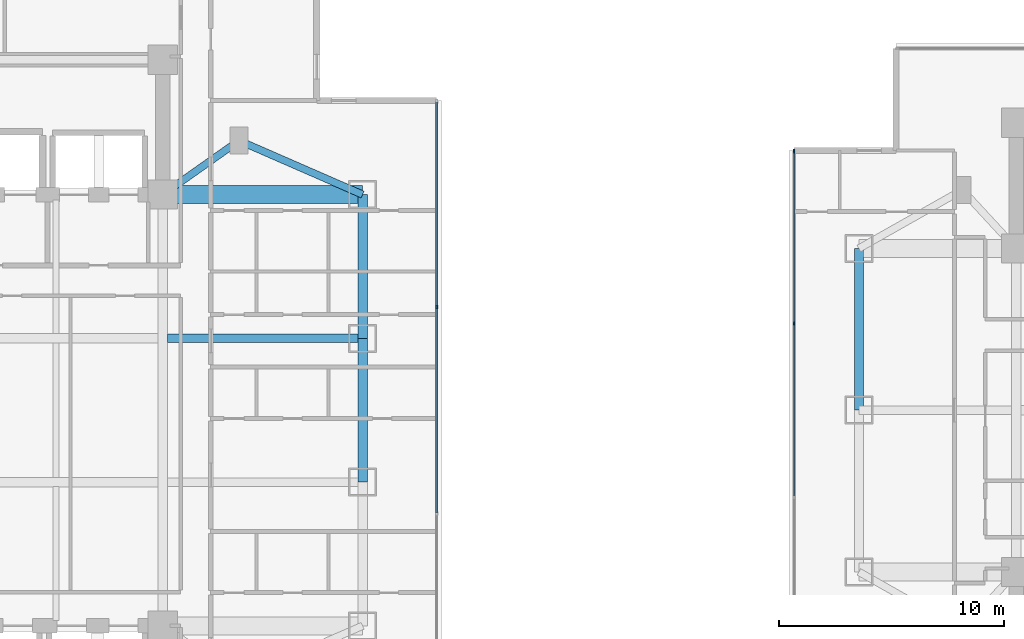
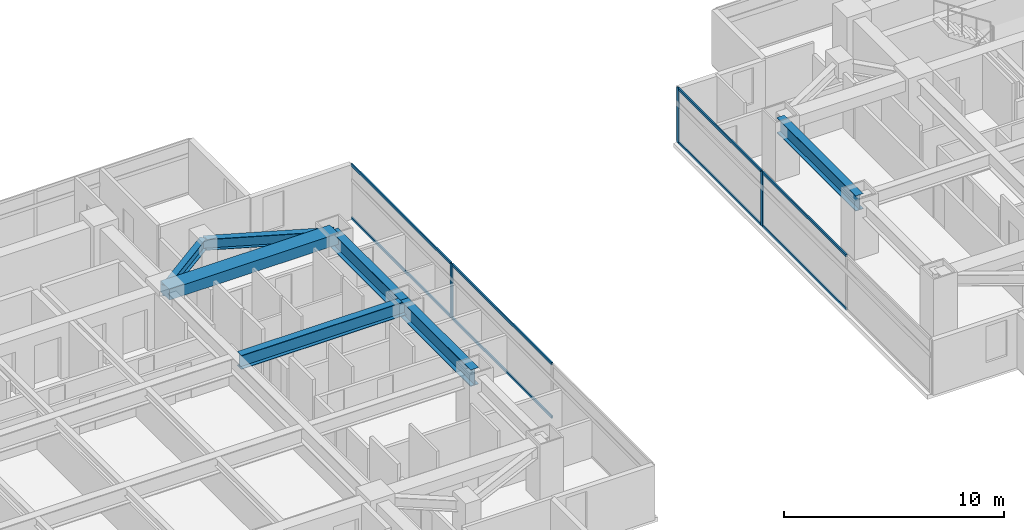
# One storey, part 6 of 24: 11 members, 7 beams, 2 elements without a shape of their own.
"""IFC4 building model written with IfcOpenShell, lengths in metres."""

from ifc_helpers import new_model, si_unit, direction, frame, origin, origin_2d, place, context, subcontext, project, spatial, rectangle, i_section, extrude, material, material_profile, profile_set, type_object, element, aggregate, save


model = new_model("IFC4")

# Units and contexts
model_context = context("Model", 3, precision=1e-05, world=origin(), true_north=direction((0.0, 1.0)))
body_context = subcontext(model_context, "Body", "Model", "MODEL_VIEW")
ifc_project = project(units=[si_unit("LENGTHUNIT", "METRE"), si_unit("AREAUNIT", "SQUARE_METRE"), si_unit("VOLUMEUNIT", "CUBIC_METRE"), si_unit("PLANEANGLEUNIT", "RADIAN"), si_unit("MASSUNIT", "GRAM", prefix="KILO")], contexts=[model_context])

# Site, building, storey
site_placement = place(None, origin())
site = spatial("IfcSite", under=ifc_project, at=site_placement, CompositionType="ELEMENT")
building_placement = place(site_placement, origin())
building = spatial("IfcBuilding", under=site, at=building_placement, Name="Mirazonda Arch Towers", CompositionType="ELEMENT")
storey_placement = place(building_placement, frame((0.0, 0.0, 65.300048828125)))
storey = spatial("IfcBuildingStorey", under=building, at=storey_placement, Name="L18", CompositionType="ELEMENT", Elevation=65.300048828125)

# Beams
ifc_material_1 = material(Name="Steel ASTM A992 Grade 50", Category="steel")
ifc_material_profile_1 = material_profile(ifc_material_1, i_section(OverallWidth=0.39990234375, OverallDepth=0.85595703125, WebThickness=0.018310546875, FlangeThickness=0.029296875, at=origin_2d()), Name="W33X201")
ifc_profile_set_1 = profile_set([ifc_material_profile_1], Name="Steel ASTM A992 Grade 50")
beam_type_1 = type_object("IfcBeamType", Name="BM-EXT-W33X201", PredefinedType="USERDEFINED", material=ifc_profile_set_1)
beam_1_placement = place(storey_placement, frame((61.0, 28.0, 2.6318359375), z_axis=(0.0, 1.0, 0.0), x_axis=(-1.0, 0.0, 0.0)))
element("IfcBeam", 1, at=beam_1_placement, inside=storey, type_object=beam_type_1, Name="L18 Floor Beam BM-T2-L18-NS-W-28", ObjectType="GIRDER", PredefinedType="USERDEFINED", context=body_context, shape_type="SweptSolid", body=[
    extrude(i_section(OverallWidth=0.39990234375, OverallDepth=0.85595703125, WebThickness=0.018310546875, FlangeThickness=0.029296875, at=origin_2d()), origin(), (0.0, 0.0, 1.0), 7.199951171875),
])
ifc_material_profile_2 = material_profile(ifc_material_1, i_section(OverallWidth=0.41796875, OverallDepth=0.927001953125, WebThickness=0.019287109375, FlangeThickness=0.031982421875, at=origin_2d()), Name="W36X231")
ifc_profile_set_2 = profile_set([ifc_material_profile_2], Name="Steel ASTM A992 Grade 50")
beam_type_2 = type_object("IfcBeamType", Name="BM-EXT-W36X231", PredefinedType="USERDEFINED", material=ifc_profile_set_2)
beam_2_placement = place(storey_placement, frame((38.89990234375, 24.800048828125, 2.596435546875), z_axis=(0.0, 1.0, 0.0), x_axis=(-1.0, 0.0, 0.0)))
element("IfcBeam", 2, at=beam_2_placement, inside=storey, type_object=beam_type_2, Name="L18 Floor Beam BM-T1-L18-NS-E-24", ObjectType="GIRDER", PredefinedType="USERDEFINED", context=body_context, shape_type="SweptSolid", body=[
    extrude(i_section(OverallWidth=0.41796875, OverallDepth=0.927001953125, WebThickness=0.019287109375, FlangeThickness=0.031982421875, at=origin_2d()), origin(), (0.0, 0.0, 1.0), 6.39990234375),
])
beam_3_placement = place(storey_placement, frame((38.89990234375, 31.199951171875, 2.596435546875), z_axis=(0.0, 1.0, 0.0), x_axis=(-1.0, 0.0, 0.0)))
element("IfcBeam", 3, at=beam_3_placement, inside=storey, type_object=beam_type_2, Name="L18 Floor Beam BM-T1-L18-NS-E-31", ObjectType="GIRDER", PredefinedType="USERDEFINED", context=body_context, shape_type="SweptSolid", body=[
    extrude(i_section(OverallWidth=0.41796875, OverallDepth=0.927001953125, WebThickness=0.019287109375, FlangeThickness=0.031982421875, at=origin_2d()), origin(), (0.0, 0.0, 1.0), 6.400146484375),
])
ifc_material_profile_3 = material_profile(ifc_material_1, i_section(OverallWidth=0.324951171875, OverallDepth=0.615966796875, WebThickness=0.013916015625, FlangeThickness=0.021484375, at=origin_2d()), Name="W24X117")
ifc_profile_set_3 = profile_set([ifc_material_profile_3], Name="Steel ASTM A992 Grade 50")
beam_type_3 = type_object("IfcBeamType", Name="BM-INT-W24X117", PredefinedType="BEAM", material=ifc_profile_set_3)
beam_4_placement = place(storey_placement, frame((33.39990234375, 40.0, 2.751953125), z_axis=(-0.816971114901, -0.576678591087, 0.0), x_axis=(0.576678591087, -0.816971114901, 0.0)))
element("IfcBeam", 4, at=beam_4_placement, inside=storey, type_object=beam_type_3, Name="L18 Floor Beam BM-T1-L18-PL-NE1", PredefinedType="BEAM", context=body_context, shape_type="SweptSolid", body=[
    extrude(i_section(OverallWidth=0.324951171875, OverallDepth=0.615966796875, WebThickness=0.013916015625, FlangeThickness=0.021484375, at=origin_2d()), origin(), (0.0, 0.0, 1.0), 4.16162109375),
])
beam_5_placement = place(storey_placement, frame((33.39990234375, 40.0, 2.751953125), z_axis=(0.916545343703, -0.399930785183, 0.0), x_axis=(0.399930785183, 0.916545343703, 0.0)))
element("IfcBeam", 5, at=beam_5_placement, inside=storey, type_object=beam_type_3, Name="L18 Floor Beam BM-T1-L18-PL-NE2", PredefinedType="BEAM", context=body_context, shape_type="SweptSolid", body=[
    extrude(i_section(OverallWidth=0.324951171875, OverallDepth=0.615966796875, WebThickness=0.013916015625, FlangeThickness=0.021484375, at=origin_2d()), origin(), (0.0, 0.0, 1.0), 6.000732421875),
])
ifc_material_profile_4 = material_profile(ifc_material_1, i_section(OverallWidth=0.381103515625, OverallDepth=0.77294921875, WebThickness=0.0166015625, FlangeThickness=0.027099609375, at=origin_2d()), Name="W30X173")
ifc_profile_set_4 = profile_set([ifc_material_profile_4], Name="Steel ASTM A992 Grade 50")
beam_type_4 = type_object("IfcBeamType", Name="BM-INT-W30X173", PredefinedType="USERDEFINED", material=ifc_profile_set_4)
beam_6_placement = place(storey_placement, frame((30.21142578125, 31.199951171875, 2.67333984375), z_axis=(1.0, 0.0, 0.0), x_axis=(0.0, 1.0, 0.0)))
element("IfcBeam", 6, at=beam_6_placement, inside=storey, type_object=beam_type_4, Name="L18 Floor Beam BM-T1-L18-GE3", ObjectType="GIRDER", PredefinedType="USERDEFINED", context=body_context, shape_type="SweptSolid", body=[
    extrude(i_section(OverallWidth=0.381103515625, OverallDepth=0.77294921875, WebThickness=0.0166015625, FlangeThickness=0.027099609375, at=origin_2d()), origin(), (0.0, 0.0, 1.0), 8.6884765625),
])
ifc_material_2 = material(Name="Concrete C60/75", Category="concrete")
ifc_material_profile_5 = material_profile(ifc_material_2, rectangle(XDim=0.800048828125, YDim=0.60009765625, at=origin_2d()), Name="RCCB800x600")
ifc_profile_set_5 = profile_set([ifc_material_profile_5], Name="Concrete C60/75")
beam_type_5 = type_object("IfcBeamType", Name="CB-INT-RCCB800x600", PredefinedType="SPANDREL", material=ifc_profile_set_5)
beam_7_placement = place(storey_placement, frame((30.0, 37.60009765625, 2.760009765625), z_axis=(1.0, 0.0, 0.0), x_axis=(0.0, 1.0, 0.0)))
element("IfcBeam", 7, at=beam_7_placement, inside=storey, type_object=beam_type_5, Name="L18 Floor Beam CBC-T1-L18-NE", PredefinedType="SPANDREL", context=body_context, shape_type="SweptSolid", body=[
    extrude(rectangle(XDim=0.800048828125, YDim=0.60009765625, at=origin_2d()), origin(), (0.0, 0.0, 1.0), 8.89990234375),
])

# Curtain wall, member
ifc_material_3 = material(Name="Anodised Aluminium and Low-E Glass", Category="aluminium")
curtain_wall_type = type_object("IfcCurtainWallType", Name="CW-HTL-UNIT", PredefinedType="NOTDEFINED", material=ifc_material_3)
curtain_wall_1_placement = place(storey_placement, origin())
curtain_wall_1 = element("IfcCurtainWall", 8, at=curtain_wall_1_placement, inside=storey, type_object=curtain_wall_type, Name="L18 T1 E Facade CW-L18-T1-E", PredefinedType="NOTDEFINED")
ifc_material_4 = material(Name="Anodised Aluminium Alloy", Category="aluminium")
ifc_material_profile_6 = material_profile(ifc_material_4, rectangle(XDim=0.074951171875, YDim=0.1650390625, at=origin_2d()), Name="ALU-MULL-75x165")
ifc_profile_set_6 = profile_set([ifc_material_profile_6], Name="Anodised Aluminium Alloy")
member_type_1 = type_object("IfcMemberType", Name="MULL-CW-HTL-UNIT", PredefinedType="MULLION", material=ifc_profile_set_6)
member_1_placement = place(storey_placement, frame((42.199951171875, 32.597412109375, 0.0), z_axis=(0.0, 0.0, 1.0), x_axis=(-1.0, 0.0, 0.0)))
member_1 = element("IfcMember", 9, at=member_1_placement, type_object=member_type_1, Name="CW-112 mullion 3", PredefinedType="MULLION", context=body_context, shape_type="SweptSolid", body=[
    extrude(rectangle(XDim=0.074951171875, YDim=0.1650390625, at=origin_2d()), origin(), (0.0, 0.0, 1.0), 3.0400390625),
])

# Curtain wall, members
curtain_wall_2_placement = place(storey_placement, origin())
curtain_wall_2 = element("IfcCurtainWall", 10, at=curtain_wall_2_placement, inside=storey, type_object=curtain_wall_type, Name="L18 T2 W Facade CW-L18-T2-W", PredefinedType="NOTDEFINED")
member_2_placement = place(storey_placement, frame((58.10791015625, 39.525634765625, 0.0), z_axis=(0.0, 0.0, 1.0), x_axis=(1.0, 0.0, 0.0)))
member_2 = element("IfcMember", 11, at=member_2_placement, type_object=member_type_1, Name="CW-112 mullion 1", PredefinedType="MULLION", context=body_context, shape_type="SweptSolid", body=[
    extrude(rectangle(XDim=0.074951171875, YDim=0.1650390625, at=origin_2d()), origin(), (0.0, 0.0, 1.0), 3.0400390625),
])
member_3_placement = place(storey_placement, frame((58.10791015625, 31.8544921875, 0.0), z_axis=(0.0, 0.0, 1.0), x_axis=(1.0, 0.0, 0.0)))
member_3 = element("IfcMember", 12, at=member_3_placement, type_object=member_type_1, Name="CW-112 mullion 2", PredefinedType="MULLION", context=body_context, shape_type="SweptSolid", body=[
    extrude(rectangle(XDim=0.074951171875, YDim=0.1650390625, at=origin_2d()), origin(), (0.0, 0.0, 1.0), 3.0400390625),
])

# Member
ifc_material_profile_7 = material_profile(ifc_material_4, rectangle(XDim=0.074951171875, YDim=0.14501953125, at=origin_2d()), Name="ALU-TRAN-75x145")
ifc_profile_set_7 = profile_set([ifc_material_profile_7], Name="Anodised Aluminium Alloy")
member_type_2 = type_object("IfcMemberType", Name="TRAN-CW-HTL-UNIT", PredefinedType="USERDEFINED", material=ifc_profile_set_7)
member_4_placement = place(storey_placement, frame((42.199951171875, 23.440185546875, 0.037353515625), z_axis=(0.0, 1.0, 0.0), x_axis=(-1.0, 0.0, 0.0)))
member_4 = element("IfcMember", 13, at=member_4_placement, type_object=member_type_2, Name="CW-112 transom 2.1", ObjectType="TRANSOM", PredefinedType="USERDEFINED", context=body_context, shape_type="SweptSolid", body=[
    extrude(rectangle(XDim=0.074951171875, YDim=0.14501953125, at=origin_2d()), origin(), (0.0, 0.0, 1.0), 9.11962890625),
])

member_5_placement = place(storey_placement, frame((42.199951171875, 23.440185546875, 3.00244140625), z_axis=(0.0, 1.0, 0.0), x_axis=(-1.0, 0.0, 0.0)))
member_5 = element("IfcMember", 14, at=member_5_placement, type_object=member_type_2, Name="CW-112 transom 2.2", ObjectType="TRANSOM", PredefinedType="USERDEFINED", context=body_context, shape_type="SweptSolid", body=[
    extrude(rectangle(XDim=0.074951171875, YDim=0.14501953125, at=origin_2d()), origin(), (0.0, 0.0, 1.0), 9.11962890625),
])

member_6_placement = place(storey_placement, frame((42.199951171875, 32.634765625, 0.037353515625), z_axis=(0.0, 1.0, 0.0), x_axis=(-1.0, 0.0, 0.0)))
member_6 = element("IfcMember", 15, at=member_6_placement, type_object=member_type_2, Name="CW-112 transom 3.1", ObjectType="TRANSOM", PredefinedType="USERDEFINED", context=body_context, shape_type="SweptSolid", body=[
    extrude(rectangle(XDim=0.074951171875, YDim=0.14501953125, at=origin_2d()), origin(), (0.0, 0.0, 1.0), 9.082275390625),
])

member_7_placement = place(storey_placement, frame((42.199951171875, 32.634765625, 3.00244140625), z_axis=(0.0, 1.0, 0.0), x_axis=(-1.0, 0.0, 0.0)))
member_7 = element("IfcMember", 16, at=member_7_placement, type_object=member_type_2, Name="CW-112 transom 3.2", ObjectType="TRANSOM", PredefinedType="USERDEFINED", context=body_context, shape_type="SweptSolid", body=[
    extrude(rectangle(XDim=0.074951171875, YDim=0.14501953125, at=origin_2d()), origin(), (0.0, 0.0, 1.0), 9.082275390625),
])

aggregate(curtain_wall_1, [member_1, member_4, member_5, member_6, member_7])

member_8_placement = place(storey_placement, frame((58.10791015625, 39.48828125, 0.037353515625), z_axis=(0.0, -1.0, 0.0), x_axis=(1.0, 0.0, 0.0)))
member_8 = element("IfcMember", 17, at=member_8_placement, type_object=member_type_2, Name="CW-112 transom 1.1", ObjectType="TRANSOM", PredefinedType="USERDEFINED", context=body_context, shape_type="SweptSolid", body=[
    extrude(rectangle(XDim=0.074951171875, YDim=0.14501953125, at=origin_2d()), origin(), (0.0, 0.0, 1.0), 7.596435546875),
])

member_9_placement = place(storey_placement, frame((58.10791015625, 39.48828125, 3.00244140625), z_axis=(0.0, -1.0, 0.0), x_axis=(1.0, 0.0, 0.0)))
member_9 = element("IfcMember", 18, at=member_9_placement, type_object=member_type_2, Name="CW-112 transom 1.2", ObjectType="TRANSOM", PredefinedType="USERDEFINED", context=body_context, shape_type="SweptSolid", body=[
    extrude(rectangle(XDim=0.074951171875, YDim=0.14501953125, at=origin_2d()), origin(), (0.0, 0.0, 1.0), 7.596435546875),
])

member_10_placement = place(storey_placement, frame((58.10791015625, 31.81689453125, 0.037353515625), z_axis=(0.0, -1.0, 0.0), x_axis=(1.0, 0.0, 0.0)))
member_10 = element("IfcMember", 19, at=member_10_placement, type_object=member_type_2, Name="CW-112 transom 2.1", ObjectType="TRANSOM", PredefinedType="USERDEFINED", context=body_context, shape_type="SweptSolid", body=[
    extrude(rectangle(XDim=0.074951171875, YDim=0.14501953125, at=origin_2d()), origin(), (0.0, 0.0, 1.0), 7.6337890625),
])

member_11_placement = place(storey_placement, frame((58.10791015625, 31.81689453125, 3.00244140625), z_axis=(0.0, -1.0, 0.0), x_axis=(1.0, 0.0, 0.0)))
member_11 = element("IfcMember", 20, at=member_11_placement, type_object=member_type_2, Name="CW-112 transom 2.2", ObjectType="TRANSOM", PredefinedType="USERDEFINED", context=body_context, shape_type="SweptSolid", body=[
    extrude(rectangle(XDim=0.074951171875, YDim=0.14501953125, at=origin_2d()), origin(), (0.0, 0.0, 1.0), 7.6337890625),
])

aggregate(curtain_wall_2, [member_2, member_3, member_8, member_9, member_10, member_11])

save(model, "model.ifc")
